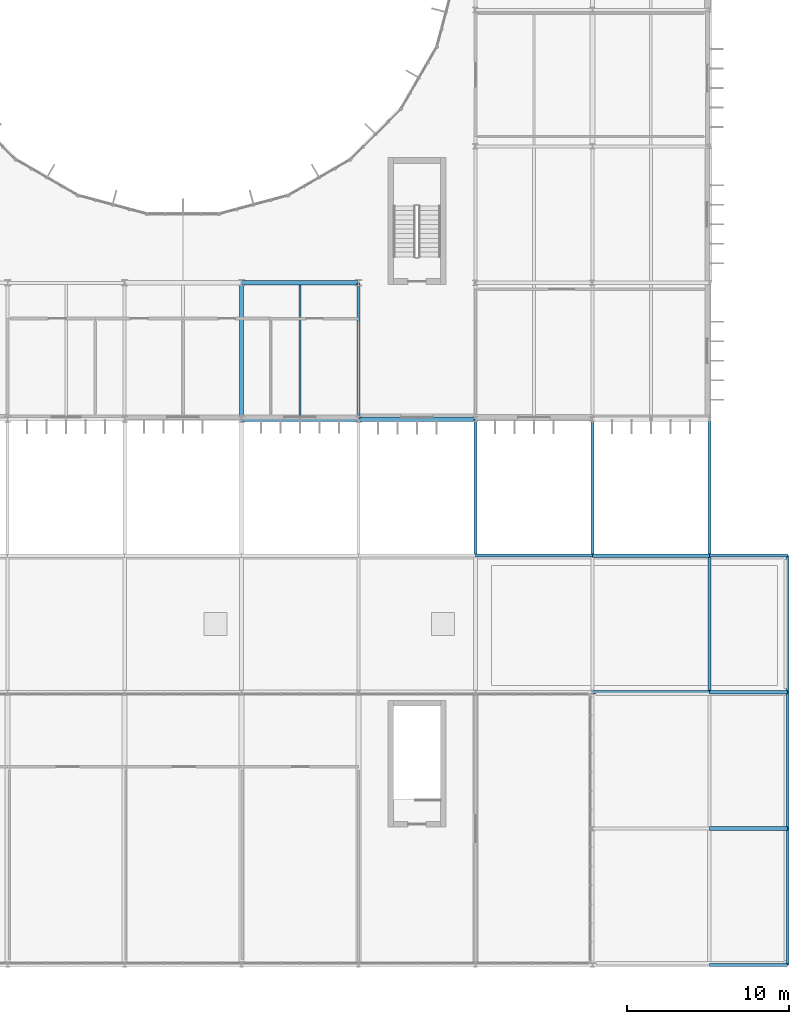
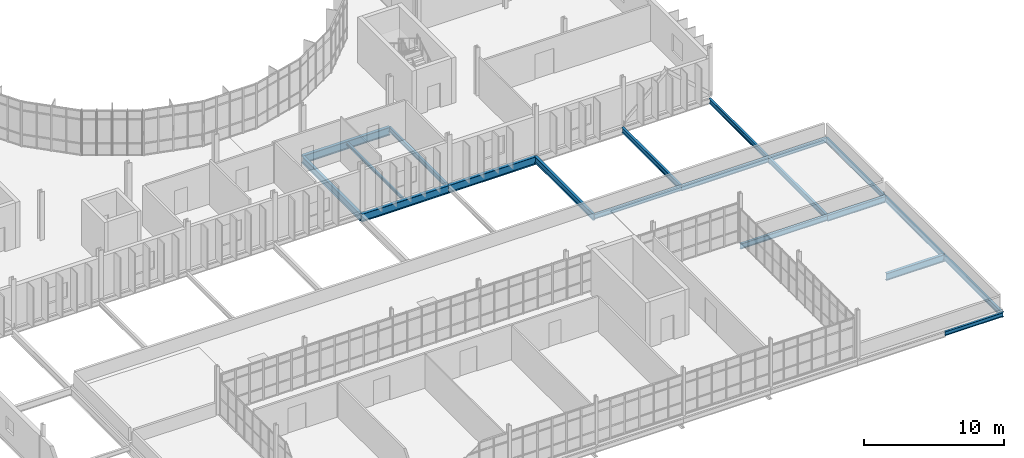
# One storey, part 61 of 119: 20 beams.
"""IFC4 building model written with IfcOpenShell, lengths in metres."""

from ifc_helpers import new_model, si_unit, direction, frame, origin, origin_2d, place, context, subcontext, project, spatial, i_section, extrude, material, material_profile, profile_set, type_object, element, save


model = new_model("IFC4")

# Units and contexts
model_context = context("Model", 3, precision=1e-05, world=origin(), true_north=direction((0.0, 1.0)))
body_context = subcontext(model_context, "Body", "Model", "MODEL_VIEW")
ifc_project = project(units=[si_unit("LENGTHUNIT", "METRE"), si_unit("AREAUNIT", "SQUARE_METRE"), si_unit("VOLUMEUNIT", "CUBIC_METRE"), si_unit("PLANEANGLEUNIT", "RADIAN"), si_unit("MASSUNIT", "GRAM", prefix="KILO")], contexts=[model_context])

# Site, building, storey
site_placement = place(None, origin())
site = spatial("IfcSite", under=ifc_project, at=site_placement, CompositionType="ELEMENT")
building_placement = place(site_placement, origin())
building = spatial("IfcBuilding", under=site, at=building_placement, Name="Qelthora Terrace Specialist Clinic", CompositionType="ELEMENT")
storey_placement = place(building_placement, frame((0.0, 0.0, 4.800048828125)))
storey = spatial("IfcBuildingStorey", under=building, at=storey_placement, Name="L01", CompositionType="ELEMENT", Elevation=4.800048828125)

# Beams
ifc_material = material(Name="Steel S355", Category="steel")
ifc_material_profile_1 = material_profile(ifc_material, i_section(OverallWidth=0.178955078125, OverallDepth=0.409912109375, WebThickness=0.0087890625, FlangeThickness=0.014404296875, FilletRadius=0.011962890625, at=origin_2d()), Name="W410X67")
ifc_profile_set_1 = profile_set([ifc_material_profile_1], Name="Steel S355")
beam_type_1 = type_object("IfcBeamType", Name="BM-W410X67", PredefinedType="BEAM", material=ifc_profile_set_1)
beam_1_placement = place(storey_placement, frame((144.0, 25.199951171875, -0.455078125), z_axis=(1.0, 0.0, 0.0), x_axis=(0.0, 1.0, 0.0)))
element("IfcBeam", 1, at=beam_1_placement, inside=storey, type_object=beam_type_1, Name="Girder BMX-L01-0192", PredefinedType="BEAM", context=body_context, shape_type="SweptSolid", body=[
    extrude(i_section(OverallWidth=0.178955078125, OverallDepth=0.409912109375, WebThickness=0.0087890625, FlangeThickness=0.014404296875, FilletRadius=0.011962890625, at=origin_2d()), origin(), (0.0, 0.0, 1.0), 7.199951171875),
])
beam_2_placement = place(storey_placement, frame((158.39990234375, 25.199951171875, -0.455078125), z_axis=(1.0, 0.0, 0.0), x_axis=(0.0, 1.0, 0.0)))
element("IfcBeam", 2, at=beam_2_placement, inside=storey, type_object=beam_type_1, Name="Girder BMX-L01-0194", PredefinedType="BEAM", context=body_context, shape_type="SweptSolid", body=[
    extrude(i_section(OverallWidth=0.178955078125, OverallDepth=0.409912109375, WebThickness=0.0087890625, FlangeThickness=0.014404296875, FilletRadius=0.011962890625, at=origin_2d()), origin(), (0.0, 0.0, 1.0), 4.800048828125),
])
beam_3_placement = place(storey_placement, frame((136.800048828125, 33.60009765625, -0.455078125), z_axis=(0.0, 1.0, 0.0), x_axis=(-1.0, 0.0, 0.0)))
element("IfcBeam", 3, at=beam_3_placement, inside=storey, type_object=beam_type_1, Name="Girder BMY-L01-0510", PredefinedType="BEAM", context=body_context, shape_type="SweptSolid", body=[
    extrude(i_section(OverallWidth=0.178955078125, OverallDepth=0.409912109375, WebThickness=0.0087890625, FlangeThickness=0.014404296875, FilletRadius=0.011962890625, at=origin_2d()), origin(), (0.0, 0.0, 1.0), 8.39990234375),
])
ifc_material_profile_2 = material_profile(ifc_material, i_section(OverallWidth=0.179931640625, OverallDepth=0.4130859375, WebThickness=0.009765625, FlangeThickness=0.01611328125, FilletRadius=0.011962890625, at=origin_2d()), Name="W410X75")
ifc_profile_set_2 = profile_set([ifc_material_profile_2], Name="Steel S355")
beam_type_2 = type_object("IfcBeamType", Name="BM-W410X75", PredefinedType="BEAM", material=ifc_profile_set_2)
beam_4_placement = place(storey_placement, frame((158.39990234375, 25.199951171875, -0.45654296875), z_axis=(0.0, 1.0, 0.0), x_axis=(-1.0, 0.0, 0.0)))
element("IfcBeam", 4, at=beam_4_placement, inside=storey, type_object=beam_type_2, Name="Girder BMY-L01-0539", PredefinedType="BEAM", context=body_context, shape_type="SweptSolid", body=[
    extrude(i_section(OverallWidth=0.179931640625, OverallDepth=0.4130859375, WebThickness=0.009765625, FlangeThickness=0.01611328125, FilletRadius=0.011962890625, at=origin_2d()), origin(), (0.0, 0.0, 1.0), 8.400146484375),
])
beam_5_placement = place(storey_placement, frame((163.199951171875, 16.800048828125, -0.45654296875), z_axis=(0.0, 1.0, 0.0), x_axis=(-1.0, 0.0, 0.0)))
element("IfcBeam", 5, at=beam_5_placement, inside=storey, type_object=beam_type_2, Name="Girder BMY-L01-0549", PredefinedType="BEAM", context=body_context, shape_type="SweptSolid", body=[
    extrude(i_section(OverallWidth=0.179931640625, OverallDepth=0.4130859375, WebThickness=0.009765625, FlangeThickness=0.01611328125, FilletRadius=0.011962890625, at=origin_2d()), origin(), (0.0, 0.0, 1.0), 8.39990234375),
])
ifc_material_profile_3 = material_profile(ifc_material, i_section(OverallWidth=0.19091796875, OverallDepth=0.4599609375, WebThickness=0.010009765625, FlangeThickness=0.01611328125, FilletRadius=0.012939453125, at=origin_2d()), Name="W460X82")
ifc_profile_set_3 = profile_set([ifc_material_profile_3], Name="Steel S355")
beam_type_3 = type_object("IfcBeamType", Name="BM-W460X82", PredefinedType="BEAM", material=ifc_profile_set_3)
beam_6_placement = place(storey_placement, frame((151.199951171875, 25.199951171875, -0.47998046875), z_axis=(0.0, 1.0, 0.0), x_axis=(-1.0, 0.0, 0.0)))
element("IfcBeam", 6, at=beam_6_placement, inside=storey, type_object=beam_type_3, Name="Girder BMY-L01-0528", PredefinedType="BEAM", context=body_context, shape_type="SweptSolid", body=[
    extrude(i_section(OverallWidth=0.19091796875, OverallDepth=0.4599609375, WebThickness=0.010009765625, FlangeThickness=0.01611328125, FilletRadius=0.012939453125, at=origin_2d()), origin(), (0.0, 0.0, 1.0), 8.400146484375),
])
beam_7_placement = place(storey_placement, frame((158.39990234375, 16.800048828125, -0.47998046875), z_axis=(0.0, 1.0, 0.0), x_axis=(-1.0, 0.0, 0.0)))
element("IfcBeam", 7, at=beam_7_placement, inside=storey, type_object=beam_type_3, Name="Girder BMY-L01-0538", PredefinedType="BEAM", context=body_context, shape_type="SweptSolid", body=[
    extrude(i_section(OverallWidth=0.19091796875, OverallDepth=0.4599609375, WebThickness=0.010009765625, FlangeThickness=0.01611328125, FilletRadius=0.012939453125, at=origin_2d()), origin(), (0.0, 0.0, 1.0), 8.39990234375),
])
beam_8_placement = place(storey_placement, frame((163.199951171875, 8.39990234375, -0.47998046875), z_axis=(0.0, 1.0, 0.0), x_axis=(-1.0, 0.0, 0.0)))
element("IfcBeam", 8, at=beam_8_placement, inside=storey, type_object=beam_type_3, Name="Girder BMY-L01-0548", PredefinedType="BEAM", context=body_context, shape_type="SweptSolid", body=[
    extrude(i_section(OverallWidth=0.19091796875, OverallDepth=0.4599609375, WebThickness=0.010009765625, FlangeThickness=0.01611328125, FilletRadius=0.012939453125, at=origin_2d()), origin(), (0.0, 0.0, 1.0), 8.400146484375),
])
ifc_material_profile_4 = material_profile(ifc_material, i_section(OverallWidth=0.193115234375, OverallDepth=0.466064453125, WebThickness=0.011474609375, FlangeThickness=0.01904296875, FilletRadius=0.012939453125, at=origin_2d()), Name="W460X97")
ifc_profile_set_4 = profile_set([ifc_material_profile_4], Name="Steel S355")
beam_type_4 = type_object("IfcBeamType", Name="BM-W460X97", PredefinedType="BEAM", material=ifc_profile_set_4)
beam_9_placement = place(storey_placement, frame((163.199951171875, 0.0, -0.483154296875), z_axis=(0.0, 1.0, 0.0), x_axis=(-1.0, 0.0, 0.0)))
element("IfcBeam", 9, at=beam_9_placement, inside=storey, type_object=beam_type_4, Name="Girder BMY-L01-0547", PredefinedType="BEAM", context=body_context, shape_type="SweptSolid", body=[
    extrude(i_section(OverallWidth=0.193115234375, OverallDepth=0.466064453125, WebThickness=0.011474609375, FlangeThickness=0.01904296875, FilletRadius=0.012939453125, at=origin_2d()), origin(), (0.0, 0.0, 1.0), 8.39990234375),
])
ifc_material_profile_5 = material_profile(ifc_material, i_section(OverallWidth=0.2119140625, OverallDepth=0.5439453125, WebThickness=0.01318359375, FlangeThickness=0.021240234375, FilletRadius=0.013916015625, at=origin_2d()), Name="W530X123")
ifc_profile_set_5 = profile_set([ifc_material_profile_5], Name="Steel S355")
beam_type_5 = type_object("IfcBeamType", Name="BM-W530X123", PredefinedType="BEAM", material=ifc_profile_set_5)
beam_10_placement = place(storey_placement, frame((158.39990234375, 16.800048828125, -0.52197265625), z_axis=(1.0, 0.0, 0.0), x_axis=(0.0, 1.0, 0.0)))
element("IfcBeam", 10, at=beam_10_placement, inside=storey, type_object=beam_type_5, Name="Girder BMX-L01-0173", PredefinedType="BEAM", context=body_context, shape_type="SweptSolid", body=[
    extrude(i_section(OverallWidth=0.2119140625, OverallDepth=0.5439453125, WebThickness=0.01318359375, FlangeThickness=0.021240234375, FilletRadius=0.013916015625, at=origin_2d()), origin(), (0.0, 0.0, 1.0), 4.800048828125),
])
beam_11_placement = place(storey_placement, frame((144.0, 25.199951171875, -0.52197265625), z_axis=(0.0, 1.0, 0.0), x_axis=(-1.0, 0.0, 0.0)))
element("IfcBeam", 11, at=beam_11_placement, inside=storey, type_object=beam_type_5, Name="Girder BMY-L01-0515", PredefinedType="BEAM", context=body_context, shape_type="SweptSolid", body=[
    extrude(i_section(OverallWidth=0.2119140625, OverallDepth=0.5439453125, WebThickness=0.01318359375, FlangeThickness=0.021240234375, FilletRadius=0.013916015625, at=origin_2d()), origin(), (0.0, 0.0, 1.0), 8.400146484375),
])
ifc_material_profile_6 = material_profile(ifc_material, i_section(OverallWidth=0.22998046875, OverallDepth=0.616943359375, WebThickness=0.01318359375, FlangeThickness=0.022216796875, FilletRadius=0.01611328125, at=origin_2d()), Name="W610X140")
ifc_profile_set_6 = profile_set([ifc_material_profile_6], Name="Steel S355")
beam_type_6 = type_object("IfcBeamType", Name="BM-W610X140", PredefinedType="BEAM", material=ifc_profile_set_6)
beam_12_placement = place(storey_placement, frame((158.39990234375, 8.39990234375, -0.55859375), z_axis=(1.0, 0.0, 0.0), x_axis=(0.0, 1.0, 0.0)))
element("IfcBeam", 12, at=beam_12_placement, inside=storey, type_object=beam_type_6, Name="Girder BMX-L01-0157", PredefinedType="BEAM", context=body_context, shape_type="SweptSolid", body=[
    extrude(i_section(OverallWidth=0.22998046875, OverallDepth=0.616943359375, WebThickness=0.01318359375, FlangeThickness=0.022216796875, FilletRadius=0.01611328125, at=origin_2d()), origin(), (0.0, 0.0, 1.0), 4.800048828125),
])
beam_13_placement = place(storey_placement, frame((129.60009765625, 33.60009765625, -0.55859375), z_axis=(0.0, 1.0, 0.0), x_axis=(-1.0, 0.0, 0.0)))
element("IfcBeam", 13, at=beam_13_placement, inside=storey, type_object=beam_type_6, Name="Girder BMY-L01-0504", PredefinedType="BEAM", context=body_context, shape_type="SweptSolid", body=[
    extrude(i_section(OverallWidth=0.22998046875, OverallDepth=0.616943359375, WebThickness=0.01318359375, FlangeThickness=0.022216796875, FilletRadius=0.01611328125, at=origin_2d()), origin(), (0.0, 0.0, 1.0), 8.39990234375),
])
ifc_material_profile_7 = material_profile(ifc_material, i_section(OverallWidth=0.25390625, OverallDepth=0.68798828125, WebThickness=0.01318359375, FlangeThickness=0.02099609375, FilletRadius=0.01806640625, at=origin_2d()), Name="W690X152")
ifc_profile_set_7 = profile_set([ifc_material_profile_7], Name="Steel S355")
beam_type_7 = type_object("IfcBeamType", Name="BM-W690X152", PredefinedType="BEAM", material=ifc_profile_set_7)
for number, where, z_axis, x_axis, name in (
    (14, (136.800048828125, 33.60009765625, -0.593994140625), (1.0, 0.0, 0.0), (0.0, 1.0, 0.0), "Girder BMX-L01-0212"),
    (15, (129.60009765625, 42.0, -0.593994140625), (1.0, 0.0, 0.0), (0.0, 1.0, 0.0), "Girder BMX-L01-0226"),
):
    element("IfcBeam", number, at=place(storey_placement, frame(where, z_axis=z_axis, x_axis=x_axis)), inside=storey, type_object=beam_type_7, Name=name, PredefinedType="BEAM", context=body_context, shape_type="SweptSolid", body=[
        extrude(i_section(OverallWidth=0.25390625, OverallDepth=0.68798828125, WebThickness=0.01318359375, FlangeThickness=0.02099609375, FilletRadius=0.01806640625, at=origin_2d()), origin(), (0.0, 0.0, 1.0), 7.199951171875),
    ])
ifc_material_profile_8 = material_profile(ifc_material, i_section(OverallWidth=0.256103515625, OverallDepth=0.693115234375, WebThickness=0.014404296875, FlangeThickness=0.023681640625, FilletRadius=0.01806640625, at=origin_2d()), Name="W690X170")
ifc_profile_set_8 = profile_set([ifc_material_profile_8], Name="Steel S355")
beam_type_8 = type_object("IfcBeamType", Name="BM-W690X170", PredefinedType="BEAM", material=ifc_profile_set_8)
beam_14_placement = place(storey_placement, frame((129.60009765625, 33.60009765625, -0.596435546875), z_axis=(1.0, 0.0, 0.0), x_axis=(0.0, 1.0, 0.0)))
element("IfcBeam", 16, at=beam_14_placement, inside=storey, type_object=beam_type_8, Name="Girder BMX-L01-0211", PredefinedType="BEAM", context=body_context, shape_type="SweptSolid", body=[
    extrude(i_section(OverallWidth=0.256103515625, OverallDepth=0.693115234375, WebThickness=0.014404296875, FlangeThickness=0.023681640625, FilletRadius=0.01806640625, at=origin_2d()), origin(), (0.0, 0.0, 1.0), 7.199951171875),
])
ifc_material_profile_9 = material_profile(ifc_material, i_section(OverallWidth=0.14599609375, OverallDepth=0.258056640625, WebThickness=0.006103515625, FlangeThickness=0.009033203125, FilletRadius=0.009033203125, at=origin_2d()), Name="W250X33")
ifc_profile_set_9 = profile_set([ifc_material_profile_9], Name="Steel S355")
beam_type_9 = type_object("IfcBeamType", Name="JST-W250X33", PredefinedType="JOIST", material=ifc_profile_set_9)
beam_15_placement = place(storey_placement, frame((133.199951171875, 33.72802734375, -0.379150390625), z_axis=(0.0, 1.0, 0.0), x_axis=(-1.0, 0.0, 0.0)))
element("IfcBeam", 17, at=beam_15_placement, inside=storey, type_object=beam_type_9, Name="Composite floor joist JST-L01-0132", PredefinedType="JOIST", context=body_context, shape_type="SweptSolid", body=[
    extrude(i_section(OverallWidth=0.14599609375, OverallDepth=0.258056640625, WebThickness=0.006103515625, FlangeThickness=0.009033203125, FilletRadius=0.009033203125, at=origin_2d()), origin(), (0.0, 0.0, 1.0), 8.14501953125),
])
ifc_material_profile_10 = material_profile(ifc_material, i_section(OverallWidth=0.172119140625, OverallDepth=0.35791015625, WebThickness=0.0078125, FlangeThickness=0.01318359375, FilletRadius=0.010986328125, at=origin_2d()), Name="W360X57")
ifc_profile_set_10 = profile_set([ifc_material_profile_10], Name="Steel S355")
beam_type_10 = type_object("IfcBeamType", Name="SPD-W360X57", PredefinedType="SPANDREL", material=ifc_profile_set_10)
beam_16_placement = place(storey_placement, frame((158.39990234375, 0.0, -0.428955078125), z_axis=(1.0, 0.0, 0.0), x_axis=(0.0, 1.0, 0.0)))
element("IfcBeam", 18, at=beam_16_placement, inside=storey, type_object=beam_type_10, Name="Girder BMX-L01-0147", PredefinedType="SPANDREL", context=body_context, shape_type="SweptSolid", body=[
    extrude(i_section(OverallWidth=0.172119140625, OverallDepth=0.35791015625, WebThickness=0.0078125, FlangeThickness=0.01318359375, FilletRadius=0.010986328125, at=origin_2d()), origin(), (0.0, 0.0, 1.0), 4.800048828125),
])
ifc_material_profile_11 = material_profile(ifc_material, i_section(OverallWidth=0.19091796875, OverallDepth=0.4599609375, WebThickness=0.010009765625, FlangeThickness=0.01611328125, FilletRadius=0.012939453125, at=origin_2d()), Name="W460X82")
ifc_profile_set_11 = profile_set([ifc_material_profile_11], Name="Steel S355")
beam_type_11 = type_object("IfcBeamType", Name="SPD-W460X82", PredefinedType="SPANDREL", material=ifc_profile_set_11)
for number, where, z_axis, x_axis, name in (
    (19, (151.199951171875, 16.800048828125, -0.47998046875), (1.0, 0.0, 0.0), (0.0, 1.0, 0.0), "Girder BMX-L01-0172"),
    (20, (151.199951171875, 25.199951171875, -0.47998046875), (1.0, 0.0, 0.0), (0.0, 1.0, 0.0), "Girder BMX-L01-0193"),
):
    element("IfcBeam", number, at=place(storey_placement, frame(where, z_axis=z_axis, x_axis=x_axis)), inside=storey, type_object=beam_type_11, Name=name, PredefinedType="SPANDREL", context=body_context, shape_type="SweptSolid", body=[
        extrude(i_section(OverallWidth=0.19091796875, OverallDepth=0.4599609375, WebThickness=0.010009765625, FlangeThickness=0.01611328125, FilletRadius=0.012939453125, at=origin_2d()), origin(), (0.0, 0.0, 1.0), 7.199951171875),
    ])

save(model, "model.ifc")
